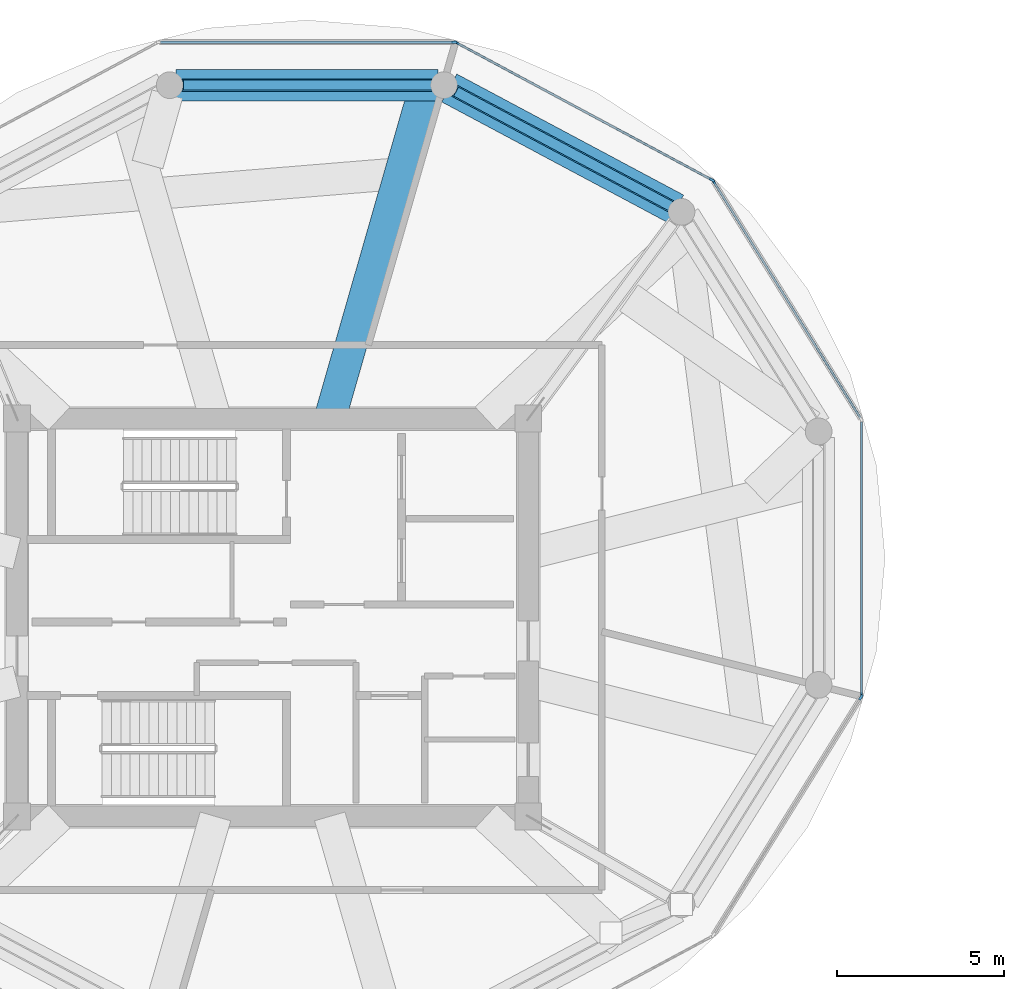
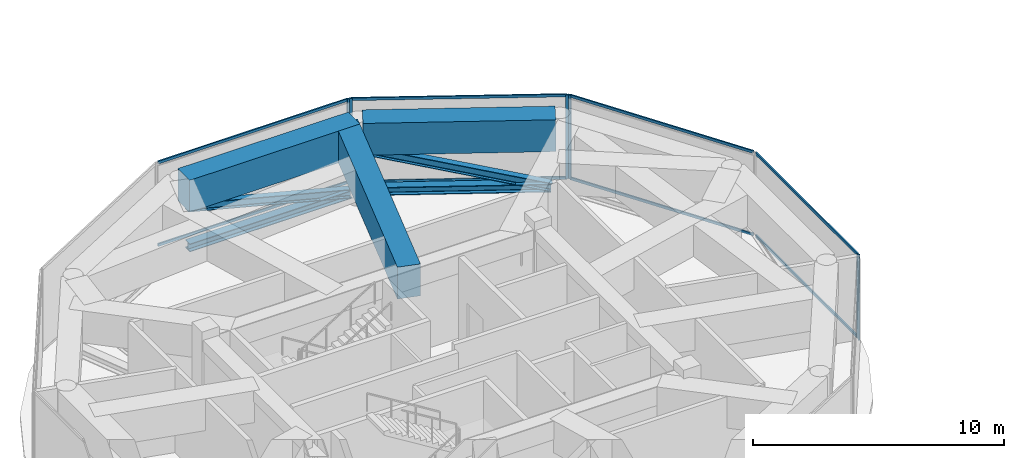
# One storey, part 5 of 20: 18 members, 3 beams, 5 elements without a shape of their own.
"""IFC4 building model written with IfcOpenShell, lengths in metres."""

from ifc_helpers import new_model, si_unit, direction, frame, origin, origin_2d, place, context, subcontext, project, spatial, rectangle, i_section, extrude, source, transform, mapped, material, layer, layer_set, material_profile, profile_set, type_object, type_shapes, element, aggregate, save


model = new_model("IFC4")

# Units and contexts
model_context = context("Model", 3, precision=1e-05, world=origin(), true_north=direction((0.0, 1.0)))
body_context = subcontext(model_context, "Body", "Model", "MODEL_VIEW")
ifc_project = project(units=[si_unit("LENGTHUNIT", "METRE"), si_unit("AREAUNIT", "SQUARE_METRE"), si_unit("VOLUMEUNIT", "CUBIC_METRE"), si_unit("PLANEANGLEUNIT", "RADIAN"), si_unit("MASSUNIT", "GRAM", prefix="KILO")], contexts=[model_context])

# Site, building, storey
site_placement = place(None, origin())
site = spatial("IfcSite", under=ifc_project, at=site_placement, CompositionType="ELEMENT")
building_placement = place(site_placement, origin())
building = spatial("IfcBuilding", under=site, at=building_placement, Name="Norrkilde Senior Care Towers", CompositionType="ELEMENT")
storey_placement = place(building_placement, frame((0.0, 0.0, 186.14990234375)))
storey = spatial("IfcBuildingStorey", under=building, at=storey_placement, Name="L58", CompositionType="ELEMENT", Elevation=186.14990234375)

# Beams
ifc_material_1 = material(Name="Concrete C60/75", Category="concrete")
ifc_material_profile_1 = material_profile(ifc_material_1, rectangle(XDim=0.949951171875, YDim=1.550048828125, at=origin_2d()), Name="RC TG 950x1550")
ifc_profile_set_1 = profile_set([ifc_material_profile_1], Name="Concrete C60/75")
beam_type = type_object("IfcBeamType", Name="Transfer Girder Zone Shift 950x1550", PredefinedType="USERDEFINED", material=ifc_profile_set_1)
shared_shape_1 = source(origin(), body_context, "Body", "SweptSolid", [
    extrude(rectangle(XDim=0.949951171875, YDim=1.550048828125, at=origin_2d()), origin(), (0.0, 0.0, 1.0), 7.693603515625),
])
beam_1_placement = place(storey_placement, frame((-15.92626953125, 12.21923828125, 3.30517578125), z_axis=(-0.882243992808, 0.470792456561, 0.0), x_axis=(-0.470792456561, -0.882243992808, 0.0)))
element("IfcBeam", 1, at=beam_1_placement, inside=storey, type_object=beam_type, Name="L58 Drum W Zone Ring Transfer Girder 02", ObjectType="GIRDER", PredefinedType="USERDEFINED", context=body_context, shape_type="MappedRepresentation", body=[
    mapped(shared_shape_1, transform((0.0, 0.0, 0.0), x_axis=(1.0, 0.0, 0.0), y_axis=(0.0, 1.0, 0.0), z_axis=(0.0, 0.0, 1.0), scale=1.0)),
])
shared_shape_2 = source(origin(), body_context, "Body", "SweptSolid", [
    extrude(rectangle(XDim=0.949951171875, YDim=1.550048828125, at=origin_2d()), origin(), (0.0, 0.0, 1.0), 7.844482421875),
])
beam_2_placement = place(storey_placement, frame((-23.052734375, 15.92626953125, 3.30517578125), z_axis=(-1.0, 0.0, 0.0), x_axis=(0.0, -1.0, 0.0)))
element("IfcBeam", 2, at=beam_2_placement, inside=storey, type_object=beam_type, Name="L58 Drum W Zone Ring Transfer Girder 03", ObjectType="GIRDER", PredefinedType="USERDEFINED", context=body_context, shape_type="MappedRepresentation", body=[
    mapped(shared_shape_2, transform((0.0, 0.0, 0.0), x_axis=(1.0, 0.0, 0.0), y_axis=(0.0, 1.0, 0.0), z_axis=(0.0, 0.0, 1.0), scale=1.0)),
])
shared_shape_3 = source(origin(), body_context, "Body", "SweptSolid", [
    extrude(rectangle(XDim=0.949951171875, YDim=1.550048828125, at=origin_2d()), origin(), (0.0, 0.0, 1.0), 10.38037109375),
])
type_shapes(beam_type, [shared_shape_1, shared_shape_2, shared_shape_3])
beam_3_placement = place(storey_placement, frame((-26.289794921875, 5.949951171875, 3.30517578125), z_axis=(0.276261532611, 0.961082496771, 0.0), x_axis=(-0.961082496771, 0.276261532611, 0.0)))
element("IfcBeam", 3, at=beam_3_placement, inside=storey, type_object=beam_type, Name="L58 Drum W Zone Transfer Girder 03", ObjectType="GIRDER", PredefinedType="USERDEFINED", context=body_context, shape_type="MappedRepresentation", body=[
    mapped(shared_shape_3, transform((0.0, 0.0, 0.0), x_axis=(1.0, 0.0, 0.0), y_axis=(0.0, 1.0, 0.0), z_axis=(0.0, 0.0, 1.0), scale=1.0)),
])

# Members
ifc_material_2 = material(Name="Steel S355", Category="steel")
ifc_material_profile_2 = material_profile(ifc_material_2, i_section(OverallWidth=0.3740234375, OverallDepth=0.386962890625, WebThickness=0.01611328125, FlangeThickness=0.027099609375, FilletRadius=0.014892578125, at=origin_2d()), Name="HD 360x262")
ifc_profile_set_2 = profile_set([ifc_material_profile_2], Name="Steel S355")
member_type_1 = type_object("IfcMemberType", Name="Belt Truss Ring Chord HD360x262", PredefinedType="CHORD", material=ifc_profile_set_2)
shared_shape_4 = source(origin(), body_context, "Body", "SweptSolid", [
    extrude(i_section(OverallWidth=0.3740234375, OverallDepth=0.386962890625, WebThickness=0.01611328125, FlangeThickness=0.027099609375, FilletRadius=0.014892578125, at=origin_2d()), origin(), (0.0, 0.0, 1.0), 7.333740234375),
])
member_1_placement = place(storey_placement, frame((-16.0849609375, 12.303955078125, 0.550048828125), z_axis=(-0.882247866069, 0.470785198172, 0.0), x_axis=(-0.470785198172, -0.882247866069, 0.0)))
element("IfcMember", 4, at=member_1_placement, inside=storey, type_object=member_type_1, Name="L58 Drum W Belt Truss Bottom Chord 02", PredefinedType="CHORD", context=body_context, shape_type="MappedRepresentation", body=[
    mapped(shared_shape_4, transform((0.0, 0.0, 0.0), x_axis=(1.0, 0.0, 0.0), y_axis=(0.0, 1.0, 0.0), z_axis=(0.0, 0.0, 1.0), scale=1.0)),
])
ifc_material_profile_3 = material_profile(ifc_material_2, i_section(OverallWidth=0.300048828125, OverallDepth=0.39990234375, WebThickness=0.013427734375, FlangeThickness=0.02392578125, FilletRadius=0.027099609375, at=origin_2d()), Name="HEB 400")
ifc_profile_set_3 = profile_set([ifc_material_profile_3], Name="Steel S355")
member_type_2 = type_object("IfcMemberType", Name="Belt Truss Diagonal HEB400", PredefinedType="BRACE", material=ifc_profile_set_3)
shared_shape_5 = source(origin(), body_context, "Body", "SweptSolid", [
    extrude(i_section(OverallWidth=0.300048828125, OverallDepth=0.39990234375, WebThickness=0.013427734375, FlangeThickness=0.02392578125, FilletRadius=0.027099609375, at=origin_2d()), origin(), (0.0, 0.0, 1.0), 7.58349609375),
])
member_2_placement = place(storey_placement, frame((-16.0849609375, 12.303955078125, 0.550048828125), z_axis=(-0.853199772835, 0.455284551635, 0.254491895112), x_axis=(-0.470785198172, -0.882247866069, 0.0)))
element("IfcMember", 5, at=member_2_placement, inside=storey, type_object=member_type_2, Name="L58 Drum W Belt Truss Diagonal 02", PredefinedType="BRACE", context=body_context, shape_type="MappedRepresentation", body=[
    mapped(shared_shape_5, transform((0.0, 0.0, 0.0), x_axis=(1.0, 0.0, 0.0), y_axis=(0.0, 1.0, 0.0), z_axis=(0.0, 0.0, 1.0), scale=1.0)),
])
shared_shape_6 = source(origin(), body_context, "Body", "SweptSolid", [
    extrude(i_section(OverallWidth=0.3740234375, OverallDepth=0.386962890625, WebThickness=0.01611328125, FlangeThickness=0.027099609375, FilletRadius=0.014892578125, at=origin_2d()), origin(), (0.0, 0.0, 1.0), 7.484619140625),
])
type_shapes(member_type_1, [shared_shape_4, shared_shape_6])
member_3_placement = place(storey_placement, frame((-23.232666015625, 15.92626953125, 0.550048828125), z_axis=(-1.0, 0.0, 0.0), x_axis=(0.0, -1.0, 0.0)))
element("IfcMember", 6, at=member_3_placement, inside=storey, type_object=member_type_1, Name="L58 Drum W Belt Truss Bottom Chord 03", PredefinedType="CHORD", context=body_context, shape_type="MappedRepresentation", body=[
    mapped(shared_shape_6, transform((0.0, 0.0, 0.0), x_axis=(1.0, 0.0, 0.0), y_axis=(0.0, 1.0, 0.0), z_axis=(0.0, 0.0, 1.0), scale=1.0)),
])
shared_shape_7 = source(origin(), body_context, "Body", "SweptSolid", [
    extrude(i_section(OverallWidth=0.300048828125, OverallDepth=0.39990234375, WebThickness=0.013427734375, FlangeThickness=0.02392578125, FilletRadius=0.027099609375, at=origin_2d()), origin(), (0.0, 0.0, 1.0), 7.7294921875),
])
type_shapes(member_type_2, [shared_shape_5, shared_shape_7])
member_4_placement = place(storey_placement, frame((-23.232666015625, 15.92626953125, 0.550048828125), z_axis=(-0.968326855908, 0.0, 0.249686003065), x_axis=(0.0, -1.0, 0.0)))
element("IfcMember", 7, at=member_4_placement, inside=storey, type_object=member_type_2, Name="L58 Drum W Belt Truss Diagonal 03", PredefinedType="BRACE", context=body_context, shape_type="MappedRepresentation", body=[
    mapped(shared_shape_7, transform((0.0, 0.0, 0.0), x_axis=(1.0, 0.0, 0.0), y_axis=(0.0, 1.0, 0.0), z_axis=(0.0, 0.0, 1.0), scale=1.0)),
])

# Curtain wall, member
ifc_material_3 = material(Name="Triple Low-E Insulated Glazing", Category="glass")
ifc_layer = layer(ifc_material_3, 0.18505859375)
ifc_layer_set = layer_set([ifc_layer], Name="Triple Low-E Insulated Glazing")
curtain_wall_type = type_object("IfcCurtainWallType", Name="CW6 Zone 4 Crown Pavilion Curtain Wall", PredefinedType="NOTDEFINED", material=ifc_layer_set)
curtain_wall_1_placement = place(storey_placement, origin())
curtain_wall_1 = element("IfcCurtainWall", 8, at=curtain_wall_1_placement, inside=storey, type_object=curtain_wall_type, Name="L58 Drum W Curtain Wall 00", PredefinedType="NOTDEFINED")
ifc_material_4 = material(Name="Anodised Aluminium", Category="aluminium")
ifc_material_profile_4 = material_profile(ifc_material_4, rectangle(XDim=0.070068359375, YDim=0.169921875, at=origin_2d()), Name="ALU MULL 70x170")
ifc_profile_set_4 = profile_set([ifc_material_profile_4], Name="Anodised Aluminium")
member_type_3 = type_object("IfcMemberType", Name="Curtain Wall Mullion Heavy 70x170", PredefinedType="MULLION", material=ifc_profile_set_4)
shared_shape_8 = source(origin(), body_context, "Body", "SweptSolid", [
    extrude(rectangle(XDim=0.070068359375, YDim=0.169921875, at=origin_2d()), origin(), (0.0, 0.0, 1.0), 4.080078125),
])
type_shapes(member_type_3, [shared_shape_8])
member_5_placement = place(storey_placement, frame((-14.808349609375, 13.045166015625, 0.0), z_axis=(0.0, 0.0, 1.0), x_axis=(0.84963405474, 0.52737270789, 0.0)))
member_5 = element("IfcMember", 9, at=member_5_placement, type_object=member_type_3, Name="CW-6 mullion 1", PredefinedType="MULLION", context=body_context, shape_type="MappedRepresentation", body=[
    mapped(shared_shape_8, transform((0.0, 0.0, 0.0), x_axis=(1.0, 0.0, 0.0), y_axis=(0.0, 1.0, 0.0), z_axis=(0.0, 0.0, 1.0), scale=1.0)),
])

# Curtain wall, members
curtain_wall_2_placement = place(storey_placement, origin())
curtain_wall_2 = element("IfcCurtainWall", 10, at=curtain_wall_2_placement, inside=storey, type_object=curtain_wall_type, Name="L58 Drum W Curtain Wall 01", PredefinedType="NOTDEFINED")
member_6_placement = place(storey_placement, frame((-22.49755859375, 17.1943359375, 0.0), z_axis=(0.0, 0.0, 1.0), x_axis=(0.47311715104, 0.880999524059, 0.0)))
member_6 = element("IfcMember", 11, at=member_6_placement, type_object=member_type_3, Name="CW-6 mullion 1", PredefinedType="MULLION", context=body_context, shape_type="MappedRepresentation", body=[
    mapped(shared_shape_8, transform((0.0, 0.0, 0.0), x_axis=(1.0, 0.0, 0.0), y_axis=(0.0, 1.0, 0.0), z_axis=(0.0, 0.0, 1.0), scale=1.0)),
])
member_7_placement = place(storey_placement, frame((-14.857666015625, 13.091552734375, 0.0), z_axis=(0.0, 0.0, 1.0), x_axis=(0.47311715104, 0.880999524059, 0.0)))
member_7 = element("IfcMember", 12, at=member_7_placement, type_object=member_type_3, Name="CW-6 mullion 2", PredefinedType="MULLION", context=body_context, shape_type="MappedRepresentation", body=[
    mapped(shared_shape_8, transform((0.0, 0.0, 0.0), x_axis=(1.0, 0.0, 0.0), y_axis=(0.0, 1.0, 0.0), z_axis=(0.0, 0.0, 1.0), scale=1.0)),
])

# Curtain wall, member
curtain_wall_3_placement = place(storey_placement, origin())
curtain_wall_3 = element("IfcCurtainWall", 13, at=curtain_wall_3_placement, inside=storey, type_object=curtain_wall_type, Name="L58 Drum W Curtain Wall 02", PredefinedType="NOTDEFINED")
member_8_placement = place(storey_placement, frame((-22.5634765625, 17.2109375, 0.0), z_axis=(0.0, 0.0, 1.0), x_axis=(0.0, 1.0, 0.0)))
member_8 = element("IfcMember", 14, at=member_8_placement, type_object=member_type_3, Name="CW-6 mullion 2", PredefinedType="MULLION", context=body_context, shape_type="MappedRepresentation", body=[
    mapped(shared_shape_8, transform((0.0, 0.0, 0.0), x_axis=(1.0, 0.0, 0.0), y_axis=(0.0, 1.0, 0.0), z_axis=(0.0, 0.0, 1.0), scale=1.0)),
])

curtain_wall_4_placement = place(storey_placement, origin())
curtain_wall_4 = element("IfcCurtainWall", 15, at=curtain_wall_4_placement, inside=storey, type_object=curtain_wall_type, Name="L58 Drum W Curtain Wall 10", PredefinedType="NOTDEFINED")
member_9_placement = place(storey_placement, frame((-10.39892578125, -2.390380859375, 0.0), z_axis=(0.0, 0.0, 1.0), x_axis=(0.84963405474, -0.52737270789, 0.0)))
member_9 = element("IfcMember", 16, at=member_9_placement, type_object=member_type_3, Name="CW-6 mullion 1", PredefinedType="MULLION", context=body_context, shape_type="MappedRepresentation", body=[
    mapped(shared_shape_8, transform((0.0, 0.0, 0.0), x_axis=(1.0, 0.0, 0.0), y_axis=(0.0, 1.0, 0.0), z_axis=(0.0, 0.0, 1.0), scale=1.0)),
])
aggregate(curtain_wall_4, [member_9])

curtain_wall_5_placement = place(storey_placement, origin())
curtain_wall_5 = element("IfcCurtainWall", 17, at=curtain_wall_5_placement, inside=storey, type_object=curtain_wall_type, Name="L58 Drum W Curtain Wall 11", PredefinedType="NOTDEFINED")
member_10_placement = place(storey_placement, frame((-10.38037109375, -2.32568359375, 0.0), z_axis=(0.0, 0.0, 1.0), x_axis=(1.0, 0.0, 0.0)))
member_10 = element("IfcMember", 18, at=member_10_placement, type_object=member_type_3, Name="CW-6 mullion 2", PredefinedType="MULLION", context=body_context, shape_type="MappedRepresentation", body=[
    mapped(shared_shape_8, transform((0.0, 0.0, 0.0), x_axis=(1.0, 0.0, 0.0), y_axis=(0.0, 1.0, 0.0), z_axis=(0.0, 0.0, 1.0), scale=1.0)),
])

# Member
ifc_material_profile_5 = material_profile(ifc_material_4, rectangle(XDim=0.06494140625, YDim=0.1298828125, at=origin_2d()), Name="ALU TRAN 65x130")
ifc_profile_set_5 = profile_set([ifc_material_profile_5], Name="Anodised Aluminium")
member_type_4 = type_object("IfcMemberType", Name="Curtain Wall Transom Heavy 65x130", PredefinedType="USERDEFINED", material=ifc_profile_set_5)
shared_shape_9 = source(origin(), body_context, "Body", "SweptSolid", [
    extrude(rectangle(XDim=0.06494140625, YDim=0.1298828125, at=origin_2d()), origin(), (0.0, 0.0, 1.0), 8.29150390625),
])
member_11_placement = place(storey_placement, frame((-14.7900390625, 13.015380859375, 0.03271484375), z_axis=(0.527384117405, -0.849626972682, 0.0), x_axis=(0.849626972682, 0.527384117405, 0.0)))
member_11 = element("IfcMember", 19, at=member_11_placement, type_object=member_type_4, Name="CW-6 transom 1.1", ObjectType="TRANSOM", PredefinedType="USERDEFINED", context=body_context, shape_type="MappedRepresentation", body=[
    mapped(shared_shape_9, transform((0.0, 0.0, 0.0), x_axis=(1.0, 0.0, 0.0), y_axis=(0.0, 1.0, 0.0), z_axis=(0.0, 0.0, 1.0), scale=1.0)),
])

member_12_placement = place(storey_placement, frame((-14.7900390625, 13.015380859375, 4.047607421875), z_axis=(0.527384117405, -0.849626972682, 0.0), x_axis=(0.849626972682, 0.527384117405, 0.0)))
member_12 = element("IfcMember", 20, at=member_12_placement, type_object=member_type_4, Name="CW-6 transom 1.2", ObjectType="TRANSOM", PredefinedType="USERDEFINED", context=body_context, shape_type="MappedRepresentation", body=[
    mapped(shared_shape_9, transform((0.0, 0.0, 0.0), x_axis=(1.0, 0.0, 0.0), y_axis=(0.0, 1.0, 0.0), z_axis=(0.0, 0.0, 1.0), scale=1.0)),
])

aggregate(curtain_wall_1, [member_5, member_11, member_12])

shared_shape_10 = source(origin(), body_context, "Body", "SweptSolid", [
    extrude(rectangle(XDim=0.06494140625, YDim=0.1298828125, at=origin_2d()), origin(), (0.0, 0.0, 1.0), 8.601806640625),
])
member_13_placement = place(storey_placement, frame((-22.466796875, 17.177734375, 0.03271484375), z_axis=(0.881001878067, -0.473112767574, 0.0), x_axis=(0.473112767574, 0.881001878067, 0.0)))
member_13 = element("IfcMember", 21, at=member_13_placement, type_object=member_type_4, Name="CW-6 transom 1.1", ObjectType="TRANSOM", PredefinedType="USERDEFINED", context=body_context, shape_type="MappedRepresentation", body=[
    mapped(shared_shape_10, transform((0.0, 0.0, 0.0), x_axis=(1.0, 0.0, 0.0), y_axis=(0.0, 1.0, 0.0), z_axis=(0.0, 0.0, 1.0), scale=1.0)),
])

member_14_placement = place(storey_placement, frame((-22.466796875, 17.177734375, 4.047607421875), z_axis=(0.881001878067, -0.473112767574, 0.0), x_axis=(0.473112767574, 0.881001878067, 0.0)))
member_14 = element("IfcMember", 22, at=member_14_placement, type_object=member_type_4, Name="CW-6 transom 1.2", ObjectType="TRANSOM", PredefinedType="USERDEFINED", context=body_context, shape_type="MappedRepresentation", body=[
    mapped(shared_shape_10, transform((0.0, 0.0, 0.0), x_axis=(1.0, 0.0, 0.0), y_axis=(0.0, 1.0, 0.0), z_axis=(0.0, 0.0, 1.0), scale=1.0)),
])

aggregate(curtain_wall_2, [member_6, member_7, member_13, member_14])

shared_shape_11 = source(origin(), body_context, "Body", "SweptSolid", [
    extrude(rectangle(XDim=0.06494140625, YDim=0.1298828125, at=origin_2d()), origin(), (0.0, 0.0, 1.0), 8.753173828125),
])
member_15_placement = place(storey_placement, frame((-31.3515625, 17.2109375, 0.03271484375), z_axis=(1.0, 0.0, 0.0), x_axis=(0.0, 1.0, 0.0)))
member_15 = element("IfcMember", 23, at=member_15_placement, type_object=member_type_4, Name="CW-6 transom 1.1", ObjectType="TRANSOM", PredefinedType="USERDEFINED", context=body_context, shape_type="MappedRepresentation", body=[
    mapped(shared_shape_11, transform((0.0, 0.0, 0.0), x_axis=(1.0, 0.0, 0.0), y_axis=(0.0, 1.0, 0.0), z_axis=(0.0, 0.0, 1.0), scale=1.0)),
])

member_16_placement = place(storey_placement, frame((-31.3515625, 17.2109375, 4.047607421875), z_axis=(1.0, 0.0, 0.0), x_axis=(0.0, 1.0, 0.0)))
member_16 = element("IfcMember", 24, at=member_16_placement, type_object=member_type_4, Name="CW-6 transom 1.2", ObjectType="TRANSOM", PredefinedType="USERDEFINED", context=body_context, shape_type="MappedRepresentation", body=[
    mapped(shared_shape_11, transform((0.0, 0.0, 0.0), x_axis=(1.0, 0.0, 0.0), y_axis=(0.0, 1.0, 0.0), z_axis=(0.0, 0.0, 1.0), scale=1.0)),
])

aggregate(curtain_wall_3, [member_8, member_15, member_16])

shared_shape_12 = source(origin(), body_context, "Body", "SweptSolid", [
    extrude(rectangle(XDim=0.06494140625, YDim=0.1298828125, at=origin_2d()), origin(), (0.0, 0.0, 1.0), 8.1318359375),
])
type_shapes(member_type_4, [shared_shape_9, shared_shape_10, shared_shape_11, shared_shape_12])
member_17_placement = place(storey_placement, frame((-10.38037109375, 5.84130859375, 0.03271484375), z_axis=(0.0, -1.0, 0.0), x_axis=(1.0, 0.0, 0.0)))
member_17 = element("IfcMember", 25, at=member_17_placement, type_object=member_type_4, Name="CW-6 transom 1.1", ObjectType="TRANSOM", PredefinedType="USERDEFINED", context=body_context, shape_type="MappedRepresentation", body=[
    mapped(shared_shape_12, transform((0.0, 0.0, 0.0), x_axis=(1.0, 0.0, 0.0), y_axis=(0.0, 1.0, 0.0), z_axis=(0.0, 0.0, 1.0), scale=1.0)),
])

member_18_placement = place(storey_placement, frame((-10.38037109375, 5.84130859375, 4.047607421875), z_axis=(0.0, -1.0, 0.0), x_axis=(1.0, 0.0, 0.0)))
member_18 = element("IfcMember", 26, at=member_18_placement, type_object=member_type_4, Name="CW-6 transom 1.2", ObjectType="TRANSOM", PredefinedType="USERDEFINED", context=body_context, shape_type="MappedRepresentation", body=[
    mapped(shared_shape_12, transform((0.0, 0.0, 0.0), x_axis=(1.0, 0.0, 0.0), y_axis=(0.0, 1.0, 0.0), z_axis=(0.0, 0.0, 1.0), scale=1.0)),
])

aggregate(curtain_wall_5, [member_10, member_17, member_18])

save(model, "model.ifc")
